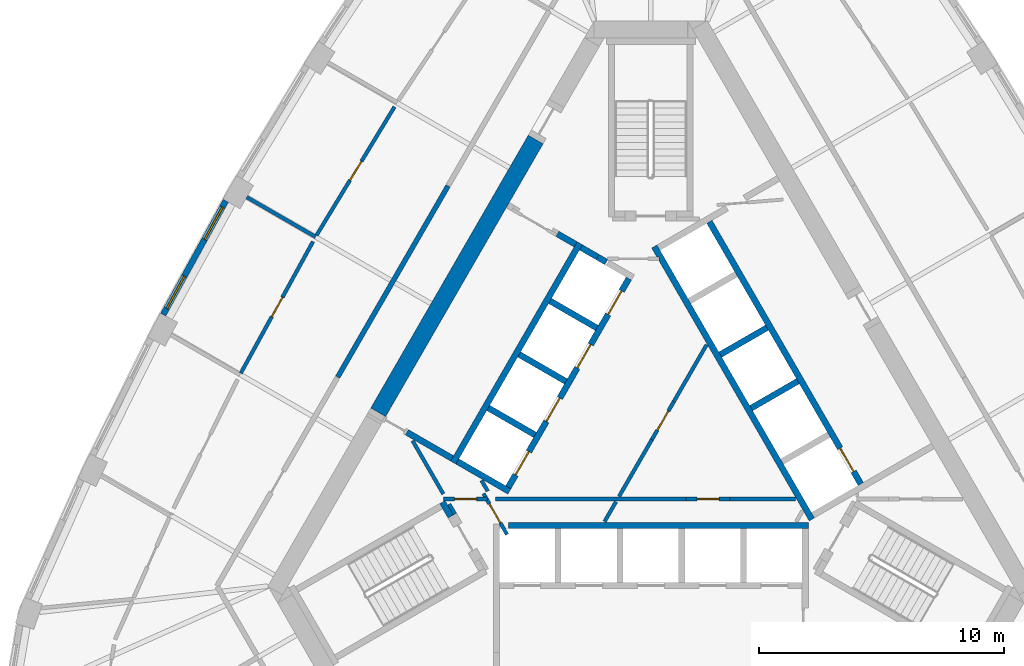
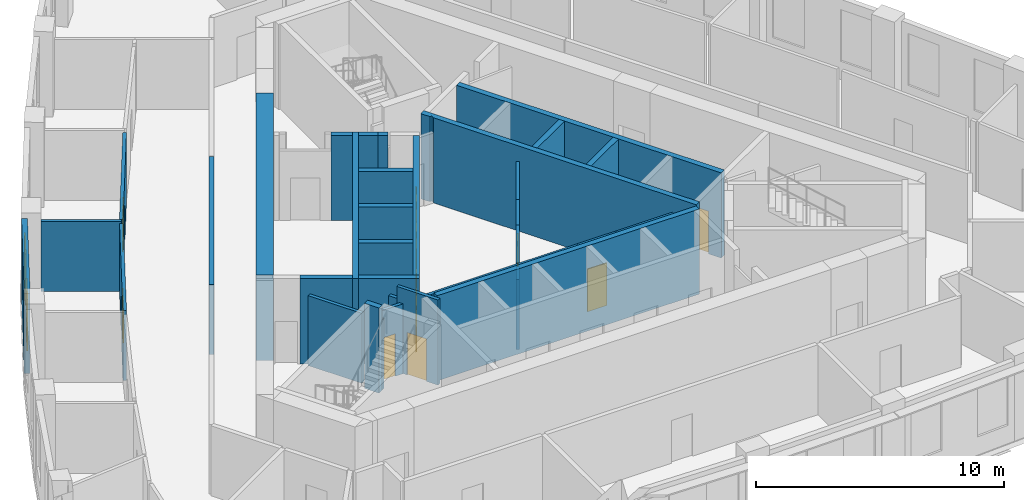
# One storey, part 5 of 11: 34 walls, 11 doors, 2 windows, 13 openings.
"""IFC4 building model written with IfcOpenShell, lengths in metres."""

from ifc_helpers import new_model, si_unit, direction, frame, frame_2d, origin, place, context, subcontext, project, spatial, polyline, rectangle, outline, extrude, material, layer, layer_set, type_object, element, fill, save


model = new_model("IFC4")

# Units and contexts
model_context = context("Model", 3, precision=1e-05, world=origin(), true_north=direction((0.0, 1.0)))
body_context = subcontext(model_context, "Body", "Model", "MODEL_VIEW")
ifc_project = project(units=[si_unit("LENGTHUNIT", "METRE"), si_unit("AREAUNIT", "SQUARE_METRE"), si_unit("VOLUMEUNIT", "CUBIC_METRE"), si_unit("PLANEANGLEUNIT", "RADIAN"), si_unit("MASSUNIT", "GRAM", prefix="KILO")], contexts=[model_context])

# Site, building, storey
site_placement = place(None, origin())
site = spatial("IfcSite", under=ifc_project, at=site_placement, CompositionType="ELEMENT")
building_placement = place(site_placement, origin())
building = spatial("IfcBuilding", under=site, at=building_placement, Name="Mestral Congress Tower", CompositionType="ELEMENT")
storey_placement = place(building_placement, frame((0.0, 0.0, 210.0)))
storey = spatial("IfcBuildingStorey", under=building, at=storey_placement, Name="L49", CompositionType="ELEMENT", Elevation=210.0)

# Walls
ifc_material_1 = material(Name="Fire-rated board partition")
ifc_layer_1 = layer(ifc_material_1, 0.14990234375)
ifc_layer_set_1 = layer_set([ifc_layer_1], Name="Fire-rated board partition")
wall_type_1 = type_object("IfcWallType", Name="Core partition 150", PredefinedType="PARTITIONING", material=ifc_layer_set_1)
wall_1_placement = place(storey_placement, frame((-9.717529296875, -0.41748046875, 0.0), z_axis=(0.0, 0.0, 1.0), x_axis=(0.499966538646, -0.866044721844, 0.0)))
element("IfcWall", 1, at=wall_1_placement, inside=storey, type_object=wall_type_1, Name="L49 core wall", PredefinedType="PARTITIONING", context=body_context, shape_type="SweptSolid", body=[
    extrude(rectangle(XDim=2.510986328125, YDim=0.14990234375, at=frame_2d((1.25537109375, 0.0))), origin(), (0.0, 0.0, 1.0), 3.449951171875),
])
wall_2_placement = place(storey_placement, frame((0.94091796875, 1.179443359375, 0.0), z_axis=(0.0, 0.0, 1.0), x_axis=(0.499962406319, 0.866047107418, 0.0)))
element("IfcWall", 2, at=wall_2_placement, inside=storey, type_object=wall_type_1, Name="L49 core wall", PredefinedType="PARTITIONING", context=body_context, shape_type="SweptSolid", body=[
    extrude(rectangle(XDim=2.671630859375, YDim=0.14990234375, at=frame_2d((1.3359375, 0.0))), origin(), (0.0, 0.0, 1.0), 3.449951171875),
])
wall_3_placement = place(storey_placement, frame((1.438232421875, -2.800048828125, 0.0), z_axis=(0.0, 0.0, 1.0), x_axis=(-1.0, 0.0, 0.0)))
element("IfcWall", 3, at=wall_3_placement, inside=storey, type_object=wall_type_1, Name="L49 core wall", PredefinedType="PARTITIONING", context=body_context, shape_type="SweptSolid", body=[
    extrude(rectangle(XDim=7.78125, YDim=0.14990234375, at=frame_2d((3.890625, 0.0))), origin(), (0.0, 0.0, 1.0), 3.449951171875),
])
wall_4_placement = place(storey_placement, frame((-1.41845703125, -2.90673828125, 0.0), z_axis=(0.0, 0.0, 1.0), x_axis=(-0.499978056798, -0.866038072327, 0.0)))
element("IfcWall", 4, at=wall_4_placement, inside=storey, type_object=wall_type_1, Name="L49 core wall", PredefinedType="PARTITIONING", context=body_context, shape_type="SweptSolid", body=[
    extrude(rectangle(XDim=0.93701171875, YDim=0.14990234375, at=frame_2d((0.468505859375, 0.0))), origin(), (0.0, 0.0, 1.0), 3.449951171875),
])
for number, where, z_axis, x_axis, name in (
    (5, (-1.295166015625, -2.693115234375, 0.0), (0.0, 0.0, 1.0), (0.500030943131, 0.866007538022, 0.0), "L49 core wall"),
    (6, (3.23828125, -2.800048828125, 0.0), (0.0, 0.0, 1.0), (1.0, 0.0, 0.0), "L49 core wall"),
):
    element("IfcWall", number, at=place(storey_placement, frame(where, z_axis=z_axis, x_axis=x_axis)), inside=storey, type_object=wall_type_1, Name=name, PredefinedType="PARTITIONING", context=body_context, shape_type="SweptSolid", body=[
        extrude(rectangle(XDim=2.671630859375, YDim=0.14990234375, at=frame_2d((1.3359375, 0.0))), origin(), (0.0, 0.0, 1.0), 3.449951171875),
    ])
wall_5_placement = place(storey_placement, frame((-6.65283203125, -2.476806640625, 0.0), z_axis=(0.0, 0.0, 1.0), x_axis=(-0.500002592159, 0.866023907196, 0.0)))
element("IfcWall", 7, at=wall_5_placement, inside=storey, type_object=wall_type_1, Name="L49 core wall", PredefinedType="PARTITIONING", context=body_context, shape_type="SweptSolid", body=[
    extrude(rectangle(XDim=0.5029296875, YDim=0.14990234375, at=frame_2d((0.25146484375, 0.0))), origin(), (0.0, 0.0, 1.0), 3.449951171875),
])
wall_6_placement = place(storey_placement, frame((-7.990234375, -3.41162109375, 0.0), z_axis=(0.0, 0.0, 1.0), x_axis=(-0.499858525911, 0.866107068482, 0.0)))
element("IfcWall", 8, at=wall_6_placement, inside=storey, type_object=wall_type_1, Name="L49 core wall", PredefinedType="PARTITIONING", context=body_context, shape_type="SweptSolid", body=[
    extrude(rectangle(XDim=0.466064453125, YDim=0.14990234375, at=frame_2d((0.23291015625, 0.0))), origin(), (0.0, 0.0, 1.0), 3.449951171875),
])

# Wall, opening, door
wall_7_placement = place(storey_placement, frame((0.040771484375, -0.37939453125, 0.0), z_axis=(0.0, 0.0, 1.0), x_axis=(0.499961193289, 0.866047807691, 0.0)))
wall_7 = element("IfcWall", 9, at=wall_7_placement, inside=storey, type_object=wall_type_1, Name="L49 door wall", PredefinedType="PARTITIONING", context=body_context, shape_type="SweptSolid", body=[
    extrude(rectangle(XDim=1.800048828125, YDim=0.14990234375, at=frame_2d((0.89990234375, 0.0))), origin(), (0.0, 0.0, 1.0), 3.449951171875),
])
opening_1_placement = place(wall_7_placement, frame((0.449951171875, 0.0, 0.0)))
opening_1 = element("IfcOpeningElement", 10, at=opening_1_placement, cuts=wall_7, Name="Opening SD-HUB0", PredefinedType="OPENING", context=body_context, shape_type="SweptSolid", body=[
    extrude(rectangle(XDim=0.89990234375, YDim=2.10009765625, at=frame_2d((0.449951171875, 1.050048828125))), frame((0.0, 0.0849609375, 0.0), z_axis=(0.0, -1.0, 0.0), x_axis=(1.0, 0.0, 0.0)), (0.0, 0.0, 1.0), 0.169921875),
])
ifc_material_2 = material(Name="Fire-rated steel door set", Category="steel")
door_type_1 = type_object("IfcDoorType", Name="Core door SR 900x2100", OperationType="SINGLE_SWING_LEFT", PredefinedType="DOOR", material=ifc_material_2)
door_1_placement = place(opening_1_placement, origin())
door_1 = element("IfcDoor", 11, at=door_1_placement, inside=storey, type_object=door_type_1, Name="Door SD-HUB0", OperationType="SINGLE_SWING_LEFT", OverallHeight=2.10009765625, OverallWidth=0.89990234375, PredefinedType="DOOR", context=body_context, shape_type="SweptSolid", body=[
    extrude(rectangle(XDim=0.89990234375, YDim=2.10009765625, at=frame_2d((0.449951171875, 1.050048828125))), frame((0.0, 0.02490234375, 0.0), z_axis=(0.0, -1.0, 0.0), x_axis=(1.0, 0.0, 0.0)), (0.0, 0.0, 1.0), 0.050048828125),
])
fill(opening_1, door_1)

wall_8_placement = place(storey_placement, frame((1.438232421875, -2.800048828125, 0.0), z_axis=(0.0, 0.0, 1.0), x_axis=(1.0, 0.0, 0.0)))
wall_8 = element("IfcWall", 12, at=wall_8_placement, inside=storey, type_object=wall_type_1, Name="L49 door wall", PredefinedType="PARTITIONING", context=body_context, shape_type="SweptSolid", body=[
    extrude(rectangle(XDim=1.800048828125, YDim=0.14990234375, at=frame_2d((0.89990234375, 0.0))), origin(), (0.0, 0.0, 1.0), 3.449951171875),
])
opening_2_placement = place(wall_8_placement, frame((0.449951171875, 0.0, 0.0)))
opening_2 = element("IfcOpeningElement", 13, at=opening_2_placement, cuts=wall_8, Name="Opening SD-HUB2", PredefinedType="OPENING", context=body_context, shape_type="SweptSolid", body=[
    extrude(rectangle(XDim=0.89990234375, YDim=2.10009765625, at=frame_2d((0.449951171875, 1.050048828125))), frame((0.0, 0.0849609375, 0.0), z_axis=(0.0, -1.0, 0.0), x_axis=(1.0, 0.0, 0.0)), (0.0, 0.0, 1.0), 0.169921875),
])
door_2_placement = place(opening_2_placement, origin())
door_2 = element("IfcDoor", 14, at=door_2_placement, inside=storey, type_object=door_type_1, Name="Door SD-HUB2", OperationType="SINGLE_SWING_LEFT", OverallHeight=2.10009765625, OverallWidth=0.89990234375, PredefinedType="DOOR", context=body_context, shape_type="SweptSolid", body=[
    extrude(rectangle(XDim=0.89990234375, YDim=2.10009765625, at=frame_2d((0.449951171875, 1.050048828125))), frame((0.0, 0.02490234375, 0.0), z_axis=(0.0, -1.0, 0.0), x_axis=(1.0, 0.0, 0.0)), (0.0, 0.0, 1.0), 0.050048828125),
])
fill(opening_2, door_2)

wall_9_placement = place(storey_placement, frame((-6.654541015625, -2.800048828125, 0.0), z_axis=(0.0, 0.0, 1.0), x_axis=(-1.0, 0.0, 0.0)))
wall_9 = element("IfcWall", 15, at=wall_9_placement, inside=storey, type_object=wall_type_1, Name="L49 door wall", PredefinedType="PARTITIONING", context=body_context, shape_type="SweptSolid", body=[
    extrude(rectangle(XDim=1.800048828125, YDim=0.14990234375, at=frame_2d((0.89990234375, 0.0))), origin(), (0.0, 0.0, 1.0), 3.449951171875),
])
opening_3_placement = place(wall_9_placement, frame((0.449951171875, 0.0, 0.0)))
opening_3 = element("IfcOpeningElement", 16, at=opening_3_placement, cuts=wall_9, Name="Opening SD-HUB5", PredefinedType="OPENING", context=body_context, shape_type="SweptSolid", body=[
    extrude(rectangle(XDim=0.89990234375, YDim=2.10009765625, at=frame_2d((0.449951171875, 1.050048828125))), frame((0.0, 0.0849609375, 0.0), z_axis=(0.0, -1.0, 0.0), x_axis=(1.0, 0.0, 0.0)), (0.0, 0.0, 1.0), 0.169921875),
])
door_3_placement = place(opening_3_placement, origin())
door_3 = element("IfcDoor", 17, at=door_3_placement, inside=storey, type_object=door_type_1, Name="Door SD-HUB5", OperationType="SINGLE_SWING_LEFT", OverallHeight=2.10009765625, OverallWidth=0.89990234375, PredefinedType="DOOR", context=body_context, shape_type="SweptSolid", body=[
    extrude(rectangle(XDim=0.89990234375, YDim=2.10009765625, at=frame_2d((0.449951171875, 1.050048828125))), frame((0.0, 0.02490234375, 0.0), z_axis=(0.0, -1.0, 0.0), x_axis=(1.0, 0.0, 0.0)), (0.0, 0.0, 1.0), 0.050048828125),
])
fill(opening_3, door_3)

# Wall
ifc_material_3 = material(Name="Concrete C60/75", Category="concrete")
ifc_layer_2 = layer(ifc_material_3, 0.699951171875)
ifc_layer_set_2 = layer_set([ifc_layer_2], Name="Concrete C60/75")
wall_type_2 = type_object("IfcWallType", Name="Core wall RC 700", PredefinedType="SOLIDWALL", material=ifc_layer_set_2)
wall_10_placement = place(storey_placement, frame((-4.695556640625, 11.866943359375, 0.0), z_axis=(0.0, 0.0, 1.0), x_axis=(-0.500003726532, -0.866023252259, 0.0)))
element("IfcWall", 18, at=wall_10_placement, inside=storey, type_object=wall_type_2, Name="L49 core wall", PredefinedType="SOLIDWALL", context=body_context, shape_type="SweptSolid", body=[
    extrude(rectangle(XDim=12.84814453125, YDim=0.699951171875, at=frame_2d((6.424072265625, 0.0))), origin(), (0.0, 0.0, 1.0), 4.199951171875),
])

# Wall, openings, windows
ifc_material_4 = material(Name="Precast concrete C40/50 with limestone facing", Category="masonry")
ifc_layer_3 = layer(ifc_material_4, 0.239990234375)
ifc_layer_set_3 = layer_set([ifc_layer_3], Name="Precast concrete C40/50 with limestone facing")
wall_type_3 = type_object("IfcWallType", Name="Facade stone wall 240", PredefinedType="SOLIDWALL", material=ifc_layer_set_3)
wall_11_placement = place(storey_placement, frame((-17.338134765625, 9.367919921875, 0.0), z_axis=(0.0, 0.0, 1.0), x_axis=(-0.481925825015, -0.876212017256, 0.0)))
wall_11 = element("IfcWall", 19, at=wall_11_placement, inside=storey, type_object=wall_type_3, Name="Facade wall F2-03", PredefinedType="SOLIDWALL", context=body_context, shape_type="SweptSolid", body=[
    extrude(rectangle(XDim=5.298583984375, YDim=0.239990234375, at=frame_2d((2.6494140625, 0.0))), origin(), (0.0, 0.0, 1.0), 3.949951171875),
])
opening_4_placement = place(wall_11_placement, frame((0.294677734375, 0.0, 0.89990234375)))
opening_4 = element("IfcOpeningElement", 20, at=opening_4_placement, cuts=wall_11, Name="Opening W4", PredefinedType="OPENING", context=body_context, shape_type="SweptSolid", body=[
    extrude(rectangle(XDim=1.5, YDim=2.550048828125, at=frame_2d((0.75, 1.27490234375))), frame((0.0, 0.1298828125, 0.0), z_axis=(0.0, -1.0, 0.0), x_axis=(1.0, 0.0, 0.0)), (0.0, 0.0, 1.0), 0.260009765625),
])
opening_5_placement = place(wall_11_placement, frame((3.503662109375, 0.0, 0.89990234375)))
opening_5 = element("IfcOpeningElement", 21, at=opening_5_placement, cuts=wall_11, Name="Opening W4", PredefinedType="OPENING", context=body_context, shape_type="SweptSolid", body=[
    extrude(rectangle(XDim=1.5, YDim=2.550048828125, at=frame_2d((0.75, 1.27490234375))), frame((0.0, 0.1298828125, 0.0), z_axis=(0.0, -1.0, 0.0), x_axis=(1.0, 0.0, 0.0)), (0.0, 0.0, 1.0), 0.260009765625),
])
ifc_material_5 = material(Name="Clear low-emissivity double glazing", Category="glass")
window_type = type_object("IfcWindowType", Name="Facade punched window 1500 x 2550 sill 900", PartitioningType="SINGLE_PANEL", PredefinedType="WINDOW", material=ifc_material_5)
window_1_placement = place(opening_4_placement, origin())
window_1 = element("IfcWindow", 22, at=window_1_placement, inside=storey, type_object=window_type, Name="Window F2-03a", OverallHeight=2.550048828125, OverallWidth=1.5, PartitioningType="SINGLE_PANEL", PredefinedType="WINDOW", context=body_context, shape_type="SweptSolid", body=[
    extrude(rectangle(XDim=1.5, YDim=2.550048828125, at=frame_2d((0.75, 1.27490234375))), frame((0.0, 0.0400390625, 0.0), z_axis=(0.0, -1.0, 0.0), x_axis=(1.0, 0.0, 0.0)), (0.0, 0.0, 1.0), 0.06005859375),
])
fill(opening_4, window_1)
window_2_placement = place(opening_5_placement, origin())
window_2 = element("IfcWindow", 23, at=window_2_placement, inside=storey, type_object=window_type, Name="Window F2-03b", OverallHeight=2.550048828125, OverallWidth=1.5, PartitioningType="SINGLE_PANEL", PredefinedType="WINDOW", context=body_context, shape_type="SweptSolid", body=[
    extrude(rectangle(XDim=1.5, YDim=2.550048828125, at=frame_2d((0.75, 1.27490234375))), frame((0.0, 0.0400390625, 0.0), z_axis=(0.0, -1.0, 0.0), x_axis=(1.0, 0.0, 0.0)), (0.0, 0.0, 1.0), 0.06005859375),
])
fill(opening_5, window_2)

# Wall
ifc_material_6 = material(Name="Plasterboard partition on steel studs", Category="steel")
ifc_layer_4 = layer(ifc_material_6, 0.14990234375)
ifc_layer_set_4 = layer_set([ifc_layer_4], Name="Plasterboard partition on steel studs")
wall_type_4 = type_object("IfcWallType", Name="Office partition 150", PredefinedType="PARTITIONING", material=ifc_layer_set_4)
wall_12_placement = place(storey_placement, frame((-13.67431640625, 7.89501953125, 0.0), z_axis=(0.0, 0.0, 1.0), x_axis=(-0.866032537582, 0.499987643696, 0.0)))
element("IfcWall", 24, at=wall_12_placement, inside=storey, type_object=wall_type_4, Name="Partition", PredefinedType="PARTITIONING", context=body_context, shape_type="SweptSolid", body=[
    extrude(rectangle(XDim=3.24072265625, YDim=0.14990234375, at=frame_2d((1.620361328125, 0.0))), origin(), (0.0, 0.0, 1.0), 3.449951171875),
])

# Wall, opening, door
wall_13_placement = place(storey_placement, frame((-13.635498046875, 7.958984375, 0.0), z_axis=(0.0, 0.0, 1.0), x_axis=(0.518788941184, 0.854902353784, 0.0)))
wall_13 = element("IfcWall", 25, at=wall_13_placement, inside=storey, type_object=wall_type_4, Name="Partition", PredefinedType="PARTITIONING", context=body_context, shape_type="SweptSolid", body=[
    extrude(rectangle(XDim=6.129150390625, YDim=0.14990234375, at=frame_2d((3.064453125, 0.0))), origin(), (0.0, 0.0, 1.0), 3.449951171875),
])
opening_6_placement = place(wall_13_placement, frame((2.62890625, 0.0, 0.0)))
opening_6 = element("IfcOpeningElement", 26, at=opening_6_placement, cuts=wall_13, Name="Opening O06-013", PredefinedType="OPENING", context=body_context, shape_type="SweptSolid", body=[
    extrude(rectangle(XDim=0.89990234375, YDim=2.10009765625, at=frame_2d((0.449951171875, 1.050048828125))), frame((0.0, 0.0849609375, 0.0), z_axis=(0.0, -1.0, 0.0), x_axis=(1.0, 0.0, 0.0)), (0.0, 0.0, 1.0), 0.169921875),
])
ifc_material_7 = material(Name="Timber door set", Category="wood")
door_type_2 = type_object("IfcDoorType", Name="Office door 900x2100", OperationType="SINGLE_SWING_LEFT", PredefinedType="DOOR", material=ifc_material_7)
door_4_placement = place(opening_6_placement, origin())
door_4 = element("IfcDoor", 27, at=door_4_placement, inside=storey, type_object=door_type_2, Name="Door O06-013", OperationType="SINGLE_SWING_RIGHT", OverallHeight=2.10009765625, OverallWidth=0.89990234375, PredefinedType="DOOR", context=body_context, shape_type="SweptSolid", body=[
    extrude(rectangle(XDim=0.89990234375, YDim=2.10009765625, at=frame_2d((0.449951171875, 1.050048828125))), frame((0.0, 0.02490234375, 0.0), z_axis=(0.0, -1.0, 0.0), x_axis=(1.0, 0.0, 0.0)), (0.0, 0.0, 1.0), 0.050048828125),
])
fill(opening_6, door_4)

wall_14_placement = place(storey_placement, frame((-16.725341796875, 2.33349609375, 0.0), z_axis=(0.0, 0.0, 1.0), x_axis=(0.480955103875, 0.876745224142, 0.0)))
wall_14 = element("IfcWall", 28, at=wall_14_placement, inside=storey, type_object=wall_type_4, Name="Partition", PredefinedType="PARTITIONING", context=body_context, shape_type="SweptSolid", body=[
    extrude(rectangle(XDim=6.12890625, YDim=0.14990234375, at=frame_2d((3.064453125, 0.0))), origin(), (0.0, 0.0, 1.0), 3.449951171875),
])
opening_7_placement = place(wall_14_placement, frame((2.629150390625, 0.0, 0.0)))
opening_7 = element("IfcOpeningElement", 29, at=opening_7_placement, cuts=wall_14, Name="Opening O06-014", PredefinedType="OPENING", context=body_context, shape_type="SweptSolid", body=[
    extrude(rectangle(XDim=0.89990234375, YDim=2.10009765625, at=frame_2d((0.449951171875, 1.050048828125))), frame((0.0, 0.0849609375, 0.0), z_axis=(0.0, -1.0, 0.0), x_axis=(1.0, 0.0, 0.0)), (0.0, 0.0, 1.0), 0.169921875),
])
door_5_placement = place(opening_7_placement, origin())
door_5 = element("IfcDoor", 30, at=door_5_placement, inside=storey, type_object=door_type_2, Name="Door O06-014", OperationType="SINGLE_SWING_RIGHT", OverallHeight=2.10009765625, OverallWidth=0.89990234375, PredefinedType="DOOR", context=body_context, shape_type="SweptSolid", body=[
    extrude(rectangle(XDim=0.89990234375, YDim=2.10009765625, at=frame_2d((0.449951171875, 1.050048828125))), frame((0.0, 0.02490234375, 0.0), z_axis=(0.0, -1.0, 0.0), x_axis=(1.0, 0.0, 0.0)), (0.0, 0.0, 1.0), 0.050048828125),
])
fill(opening_7, door_5)

# Walls
ifc_material_8 = material(Name="Dense masonry wall, plastered", Category="masonry")
ifc_layer_5 = layer(ifc_material_8, 0.199951171875)
ifc_layer_set_5 = layer_set([ifc_layer_5], Name="Dense masonry wall, plastered")
wall_type_5 = type_object("IfcWallType", Name="Office tenancy wall 200", PredefinedType="PARTITIONING", material=ifc_layer_set_5)
wall_15_placement = place(storey_placement, frame((-8.272216796875, 9.97216796875, 0.0), z_axis=(0.0, 0.0, 1.0), x_axis=(-0.5000018851, -0.866024315419, 0.0)))
element("IfcWall", 31, at=wall_15_placement, inside=storey, type_object=wall_type_5, Name="Tenancy wall", PredefinedType="PARTITIONING", context=body_context, shape_type="SweptSolid", body=[
    extrude(rectangle(XDim=9.0, YDim=0.199951171875, at=frame_2d((4.5, 0.0))), origin(), (0.0, 0.0, 1.0), 3.449951171875),
])
ifc_layer_6 = layer(ifc_material_3, 0.25)
ifc_layer_set_6 = layer_set([ifc_layer_6], Name="Concrete C60/75")
wall_type_6 = type_object("IfcWallType", Name="Shaft wall RC 250", PredefinedType="SOLIDWALL", material=ifc_layer_set_6)
wall_16_placement = place(storey_placement, frame((-5.806396484375, -3.875, 0.0), z_axis=(0.0, 0.0, 1.0), x_axis=(1.0, 0.0, 0.0)))
element("IfcWall", 32, at=wall_16_placement, inside=storey, type_object=wall_type_6, Name="L49 core wall", PredefinedType="SOLIDWALL", context=body_context, shape_type="SweptSolid", body=[
    extrude(rectangle(XDim=12.2314453125, YDim=0.25, at=frame_2d((6.11572265625, 0.0))), origin(), (0.0, 0.0, 1.0), 4.199951171875),
])
wall_17_placement = place(storey_placement, origin())
element("IfcWall", 33, at=wall_17_placement, inside=storey, type_object=wall_type_6, Name="L49 core wall", PredefinedType="SOLIDWALL", context=body_context, shape_type="SweptSolid", body=[
    extrude(outline(polyline([(0.33203125, 6.9248046875), (0.334716796875, 6.9248046875), (0.334716796875, 6.925048828125), (0.334716796875, 6.925048828125), (0.334716796875, 7.074951171875), (0.334716796875, 7.074951171875), (0.334716796875, 7.0751953125), (0.245361328125, 7.0751953125), (0.03515625, 7.439208984375), (0.251708984375, 7.564208984375), (0.376708984375, 7.34765625), (1.51171875, 5.3818359375), (1.63671875, 5.165283203125), (2.220947265625, 4.153076171875), (2.771484375, 3.199462890625), (2.896484375, 2.98291015625), (3.13818359375, 2.564208984375), (4.031494140625, 1.01708984375), (4.156494140625, 0.800537109375), (5.29150390625, -1.165283203125), (5.41650390625, -1.3818359375), (6.072998046875, -2.518798828125), (6.551513671875, -3.34765625), (6.676513671875, -3.564208984375), (6.460205078125, -3.689208984375), (0.33203125, 6.9248046875)])), origin(), (0.0, 0.0, 1.0), 4.199951171875),
])
for number, where, z_axis, x_axis, name in (
    (34, (2.833984375, 3.091064453125, 0.0), (0.0, 0.0, 1.0), (0.866008176907, 0.50002983664, 0.0), "L49 core wall"),
    (35, (4.093994140625, 0.90869140625, 0.0), (0.0, 0.0, 1.0), (0.866008176907, 0.50002983664, 0.0), "L49 core wall"),
):
    element("IfcWall", number, at=place(storey_placement, frame(where, z_axis=z_axis, x_axis=x_axis)), inside=storey, type_object=wall_type_6, Name=name, PredefinedType="SOLIDWALL", context=body_context, shape_type="SweptSolid", body=[
        extrude(rectangle(XDim=2.199951171875, YDim=0.25, at=frame_2d((1.10009765625, 0.0))), origin(), (0.0, 0.0, 1.0), 4.199951171875),
    ])
wall_18_placement = place(storey_placement, frame((-8.06005859375, -1.310546875, 0.0), z_axis=(0.0, 0.0, 1.0), x_axis=(0.50000273126, 0.866023826885, 0.0)))
element("IfcWall", 36, at=wall_18_placement, inside=storey, type_object=wall_type_6, Name="L49 core wall", PredefinedType="SOLIDWALL", context=body_context, shape_type="SweptSolid", body=[
    extrude(rectangle(XDim=10.330078125, YDim=0.25, at=frame_2d((5.1650390625, 0.0))), origin(), (0.0, 0.0, 1.0), 4.199951171875),
])
wall_19_placement = place(storey_placement, frame((-1.818603515625, 6.869873046875, 0.0), z_axis=(0.0, 0.0, 1.0), x_axis=(-0.866294599386, 0.499533449405, 0.0)))
element("IfcWall", 37, at=wall_19_placement, inside=storey, type_object=wall_type_6, Name="L49 core wall", PredefinedType="SOLIDWALL", context=body_context, shape_type="SweptSolid", body=[
    extrude(rectangle(XDim=0.41015625, YDim=0.25, at=frame_2d((0.205078125, 0.0))), origin(), (0.0, 0.0, 1.0), 4.199951171875),
])
wall_20_placement = place(storey_placement, frame((-2.849365234375, 7.46484375, 0.0), z_axis=(0.0, 0.0, 1.0), x_axis=(0.865955664968, -0.500120771724, 0.0)))
element("IfcWall", 38, at=wall_20_placement, inside=storey, type_object=wall_type_6, Name="L49 core wall", PredefinedType="SOLIDWALL", context=body_context, shape_type="SweptSolid", body=[
    extrude(rectangle(XDim=0.778076171875, YDim=0.25, at=frame_2d((0.38916015625, 0.0))), origin(), (0.0, 0.0, 1.0), 4.199951171875),
])
for number, where, z_axis, x_axis, name in (
    (39, (-2.2041015625, 4.182373046875, 0.0), (0.0, 0.0, 1.0), (-0.866008176907, 0.50002983664, 0.0), "L49 core wall"),
    (40, (-5.369384765625, 3.10009765625, 0.0), (0.0, 0.0, 1.0), (0.866008176907, -0.50002983664, 0.0), "L49 core wall"),
    (41, (-4.72412109375, -0.182373046875, 0.0), (0.0, 0.0, 1.0), (-0.866008176907, 0.50002983664, 0.0), "L49 core wall"),
):
    element("IfcWall", number, at=place(storey_placement, frame(where, z_axis=z_axis, x_axis=x_axis)), inside=storey, type_object=wall_type_6, Name=name, PredefinedType="SOLIDWALL", context=body_context, shape_type="SweptSolid", body=[
        extrude(rectangle(XDim=2.199951171875, YDim=0.25, at=frame_2d((1.10009765625, 0.0))), origin(), (0.0, 0.0, 1.0), 4.199951171875),
    ])
wall_21_placement = place(storey_placement, frame((-7.889404296875, -1.264892578125, 0.0), z_axis=(0.0, 0.0, 1.0), x_axis=(0.866057815567, -0.499943856944, 0.0)))
element("IfcWall", 42, at=wall_21_placement, inside=storey, type_object=wall_type_6, Name="L49 core wall", PredefinedType="SOLIDWALL", context=body_context, shape_type="SweptSolid", body=[
    extrude(rectangle(XDim=2.449951171875, YDim=0.25, at=frame_2d((1.22509765625, 0.0))), origin(), (0.0, 0.0, 1.0), 4.199951171875),
])
wall_22_placement = place(storey_placement, frame((-9.949951171875, -0.074951171875, 0.0), z_axis=(0.0, 0.0, 1.0), x_axis=(0.865962177421, -0.500109495288, 0.0)))
element("IfcWall", 43, at=wall_22_placement, inside=storey, type_object=wall_type_6, Name="L49 core wall", PredefinedType="SOLIDWALL", context=body_context, shape_type="SweptSolid", body=[
    extrude(rectangle(XDim=2.12939453125, YDim=0.25, at=frame_2d((1.064697265625, 0.0))), origin(), (0.0, 0.0, 1.0), 4.199951171875),
])
wall_23_placement = place(storey_placement, frame((-3.808837890625, 8.018798828125, 0.0), z_axis=(0.0, 0.0, 1.0), x_axis=(0.866010229787, -0.500026281214, 0.0)))
element("IfcWall", 44, at=wall_23_placement, inside=storey, type_object=wall_type_6, Name="L49 core wall", PredefinedType="SOLIDWALL", context=body_context, shape_type="SweptSolid", body=[
    extrude(rectangle(XDim=0.85791015625, YDim=0.25, at=frame_2d((0.428955078125, 0.0))), origin(), (0.0, 0.0, 1.0), 4.199951171875),
])

# Wall, opening, door
wall_24_placement = place(storey_placement, frame((8.565185546875, -2.185302734375, 0.0), z_axis=(0.0, 0.0, 1.0), x_axis=(-0.499997954832, 0.866026584559, 0.0)))
wall_24 = element("IfcWall", 45, at=wall_24_placement, inside=storey, type_object=wall_type_6, Name="L49 door wall", PredefinedType="SOLIDWALL", context=body_context, shape_type="SweptSolid", body=[
    extrude(rectangle(XDim=12.35009765625, YDim=0.25, at=frame_2d((6.175048828125, 0.0))), origin(), (0.0, 0.0, 1.0), 4.199951171875),
])
opening_8_placement = place(wall_24_placement, frame((0.5849609375, 0.0, 0.0)))
opening_8 = element("IfcOpeningElement", 46, at=opening_8_placement, cuts=wall_24, Name="Opening LD-NEB1", PredefinedType="OPENING", context=body_context, shape_type="SweptSolid", body=[
    extrude(rectangle(XDim=1.10009765625, YDim=2.10009765625, at=frame_2d((0.550048828125, 1.050048828125))), frame((0.0, 0.135009765625, 0.0), z_axis=(0.0, -1.0, 0.0), x_axis=(1.0, 0.0, 0.0)), (0.0, 0.0, 1.0), 0.27001953125),
])
door_type_3 = type_object("IfcDoorType", Name="Core door LD 1100x2100", OperationType="DOUBLE_DOOR_SLIDING", PredefinedType="DOOR", material=ifc_material_2)
door_6_placement = place(opening_8_placement, origin())
door_6 = element("IfcDoor", 47, at=door_6_placement, inside=storey, type_object=door_type_3, Name="Door LD-NEB1", OperationType="DOUBLE_DOOR_SLIDING", OverallHeight=2.10009765625, OverallWidth=1.10009765625, PredefinedType="DOOR", context=body_context, shape_type="SweptSolid", body=[
    extrude(rectangle(XDim=1.10009765625, YDim=2.10009765625, at=frame_2d((0.550048828125, 1.050048828125))), frame((0.0, 0.02490234375, 0.0), z_axis=(0.0, -1.0, 0.0), x_axis=(1.0, 0.0, 0.0)), (0.0, 0.0, 1.0), 0.050048828125),
])
fill(opening_8, door_6)

# Wall, openings, doors
wall_25_placement = place(storey_placement, frame((-0.898193359375, 6.194091796875, 0.0), z_axis=(0.0, 0.0, 1.0), x_axis=(-0.499996202215, -0.866027596426, 0.0)))
wall_25 = element("IfcWall", 48, at=wall_25_placement, inside=storey, type_object=wall_type_6, Name="L49 door wall", PredefinedType="SOLIDWALL", context=body_context, shape_type="SweptSolid", body=[
    extrude(rectangle(XDim=9.830078125, YDim=0.25, at=frame_2d((4.9150390625, 0.0))), origin(), (0.0, 0.0, 1.0), 4.199951171875),
])
opening_9_placement = place(wall_25_placement, frame((0.5849609375, 0.0, 0.0)))
opening_9 = element("IfcOpeningElement", 49, at=opening_9_placement, cuts=wall_25, Name="Opening LD-NWB1", PredefinedType="OPENING", context=body_context, shape_type="SweptSolid", body=[
    extrude(rectangle(XDim=1.10009765625, YDim=2.10009765625, at=frame_2d((0.550048828125, 1.050048828125))), frame((0.0, 0.135009765625, 0.0), z_axis=(0.0, -1.0, 0.0), x_axis=(1.0, 0.0, 0.0)), (0.0, 0.0, 1.0), 0.27001953125),
])
opening_10_placement = place(wall_25_placement, frame((3.10498046875, 0.0, 0.0)))
opening_10 = element("IfcOpeningElement", 50, at=opening_10_placement, cuts=wall_25, Name="Opening LD-NWB2", PredefinedType="OPENING", context=body_context, shape_type="SweptSolid", body=[
    extrude(rectangle(XDim=1.10009765625, YDim=2.10009765625, at=frame_2d((0.550048828125, 1.050048828125))), frame((0.0, 0.135009765625, 0.0), z_axis=(0.0, -1.0, 0.0), x_axis=(1.0, 0.0, 0.0)), (0.0, 0.0, 1.0), 0.27001953125),
])
opening_11_placement = place(wall_25_placement, frame((5.625, 0.0, 0.0)))
opening_11 = element("IfcOpeningElement", 51, at=opening_11_placement, cuts=wall_25, Name="Opening LD-NWB3", PredefinedType="OPENING", context=body_context, shape_type="SweptSolid", body=[
    extrude(rectangle(XDim=1.10009765625, YDim=2.10009765625, at=frame_2d((0.550048828125, 1.050048828125))), frame((0.0, 0.135009765625, 0.0), z_axis=(0.0, -1.0, 0.0), x_axis=(1.0, 0.0, 0.0)), (0.0, 0.0, 1.0), 0.27001953125),
])
opening_12_placement = place(wall_25_placement, frame((8.14501953125, 0.0, 0.0)))
opening_12 = element("IfcOpeningElement", 52, at=opening_12_placement, cuts=wall_25, Name="Opening LD-NWB4", PredefinedType="OPENING", context=body_context, shape_type="SweptSolid", body=[
    extrude(rectangle(XDim=1.10009765625, YDim=2.10009765625, at=frame_2d((0.550048828125, 1.050048828125))), frame((0.0, 0.135009765625, 0.0), z_axis=(0.0, -1.0, 0.0), x_axis=(1.0, 0.0, 0.0)), (0.0, 0.0, 1.0), 0.27001953125),
])
door_7_placement = place(opening_9_placement, origin())
door_7 = element("IfcDoor", 53, at=door_7_placement, inside=storey, type_object=door_type_3, Name="Door LD-NWB1", OperationType="DOUBLE_DOOR_SLIDING", OverallHeight=2.10009765625, OverallWidth=1.10009765625, PredefinedType="DOOR", context=body_context, shape_type="SweptSolid", body=[
    extrude(rectangle(XDim=1.10009765625, YDim=2.10009765625, at=frame_2d((0.550048828125, 1.050048828125))), frame((0.0, 0.02490234375, 0.0), z_axis=(0.0, -1.0, 0.0), x_axis=(1.0, 0.0, 0.0)), (0.0, 0.0, 1.0), 0.050048828125),
])
fill(opening_9, door_7)
door_8_placement = place(opening_10_placement, origin())
door_8 = element("IfcDoor", 54, at=door_8_placement, inside=storey, type_object=door_type_3, Name="Door LD-NWB2", OperationType="DOUBLE_DOOR_SLIDING", OverallHeight=2.10009765625, OverallWidth=1.10009765625, PredefinedType="DOOR", context=body_context, shape_type="SweptSolid", body=[
    extrude(rectangle(XDim=1.10009765625, YDim=2.10009765625, at=frame_2d((0.550048828125, 1.050048828125))), frame((0.0, 0.02490234375, 0.0), z_axis=(0.0, -1.0, 0.0), x_axis=(1.0, 0.0, 0.0)), (0.0, 0.0, 1.0), 0.050048828125),
])
fill(opening_10, door_8)
door_9_placement = place(opening_11_placement, origin())
door_9 = element("IfcDoor", 55, at=door_9_placement, inside=storey, type_object=door_type_3, Name="Door LD-NWB3", OperationType="DOUBLE_DOOR_SLIDING", OverallHeight=2.10009765625, OverallWidth=1.10009765625, PredefinedType="DOOR", context=body_context, shape_type="SweptSolid", body=[
    extrude(rectangle(XDim=1.10009765625, YDim=2.10009765625, at=frame_2d((0.550048828125, 1.050048828125))), frame((0.0, 0.02490234375, 0.0), z_axis=(0.0, -1.0, 0.0), x_axis=(1.0, 0.0, 0.0)), (0.0, 0.0, 1.0), 0.050048828125),
])
fill(opening_11, door_9)
door_10_placement = place(opening_12_placement, origin())
door_10 = element("IfcDoor", 56, at=door_10_placement, inside=storey, type_object=door_type_3, Name="Door LD-NWB4", OperationType="DOUBLE_DOOR_SLIDING", OverallHeight=2.10009765625, OverallWidth=1.10009765625, PredefinedType="DOOR", context=body_context, shape_type="SweptSolid", body=[
    extrude(rectangle(XDim=1.10009765625, YDim=2.10009765625, at=frame_2d((0.550048828125, 1.050048828125))), frame((0.0, 0.02490234375, 0.0), z_axis=(0.0, -1.0, 0.0), x_axis=(1.0, 0.0, 0.0)), (0.0, 0.0, 1.0), 0.050048828125),
])
fill(opening_12, door_10)

# Wall, opening, door
ifc_layer_7 = layer(ifc_material_3, 0.14990234375)
ifc_layer_set_7 = layer_set([ifc_layer_7], Name="Concrete C60/75")
wall_type_7 = type_object("IfcWallType", Name="Shaft wall RC 250 door-wall 150", PredefinedType="SOLIDWALL", material=ifc_layer_set_7)
wall_26_placement = place(storey_placement, frame((-5.861083984375, -4.248291015625, 0.0), z_axis=(0.0, 0.0, 1.0), x_axis=(-0.500043646338, 0.866000203093, 0.0)))
wall_26 = element("IfcWall", 57, at=wall_26_placement, inside=storey, type_object=wall_type_7, Name="L49 door wall", PredefinedType="PARTITIONING", context=body_context, shape_type="SweptSolid", body=[
    extrude(rectangle(XDim=1.929931640625, YDim=0.14990234375, at=frame_2d((0.96484375, 0.0))), origin(), (0.0, 0.0, 1.0), 4.199951171875),
])
opening_13_placement = place(wall_26_placement, frame((0.550048828125, 0.0, 0.0)))
opening_13 = element("IfcOpeningElement", 58, at=opening_13_placement, cuts=wall_26, Name="Opening CD3-HUB4", PredefinedType="OPENING", context=body_context, shape_type="SweptSolid", body=[
    extrude(rectangle(XDim=0.89990234375, YDim=2.10009765625, at=frame_2d((0.449951171875, 1.050048828125))), frame((0.0, 0.0849609375, 0.0), z_axis=(0.0, -1.0, 0.0), x_axis=(1.0, 0.0, 0.0)), (0.0, 0.0, 1.0), 0.169921875),
])
door_type_4 = type_object("IfcDoorType", Name="Core door CD 900x2100", OperationType="SINGLE_SWING_LEFT", PredefinedType="DOOR", material=ifc_material_2)
door_11_placement = place(opening_13_placement, origin())
door_11 = element("IfcDoor", 59, at=door_11_placement, inside=storey, type_object=door_type_4, Name="Door CD3-HUB4", OperationType="SINGLE_SWING_LEFT", OverallHeight=2.10009765625, OverallWidth=0.89990234375, PredefinedType="DOOR", context=body_context, shape_type="SweptSolid", body=[
    extrude(rectangle(XDim=0.89990234375, YDim=2.10009765625, at=frame_2d((0.449951171875, 1.050048828125))), frame((0.0, 0.02490234375, 0.0), z_axis=(0.0, -1.0, 0.0), x_axis=(1.0, 0.0, 0.0)), (0.0, 0.0, 1.0), 0.050048828125),
])
fill(opening_13, door_11)

# Wall
ifc_layer_8 = layer(ifc_material_3, 0.25)
ifc_layer_set_8 = layer_set([ifc_layer_8], Name="Concrete C60/75")
wall_type_8 = type_object("IfcWallType", Name="Stair wall RC 250", PredefinedType="SOLIDWALL", material=ifc_layer_set_8)
wall_27_placement = place(storey_placement, frame((-8.1630859375, -3.51123046875, 0.0), z_axis=(0.0, 0.0, 1.0), x_axis=(-0.499994068514, 0.866028828302, 0.0)))
element("IfcWall", 60, at=wall_27_placement, inside=storey, type_object=wall_type_8, Name="L49 core wall", PredefinedType="SOLIDWALL", context=body_context, shape_type="SweptSolid", body=[
    extrude(rectangle(XDim=0.67431640625, YDim=0.25, at=frame_2d((0.337158203125, 0.0))), origin(), (0.0, 0.0, 1.0), 4.199951171875),
])

save(model, "model.ifc")
